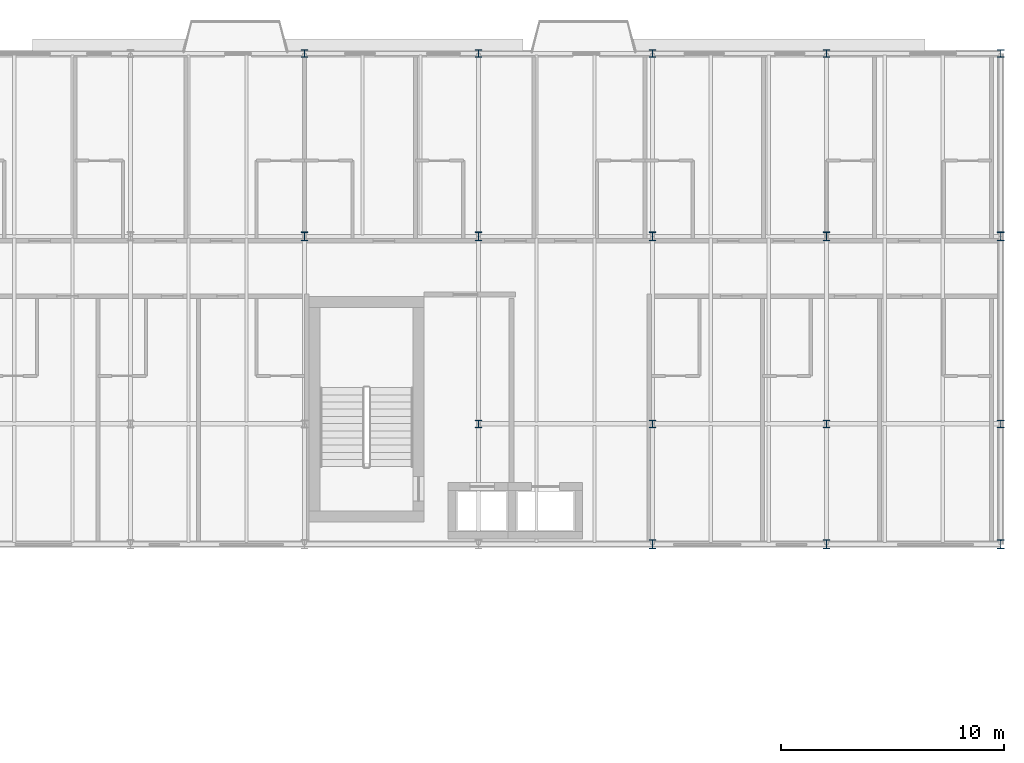
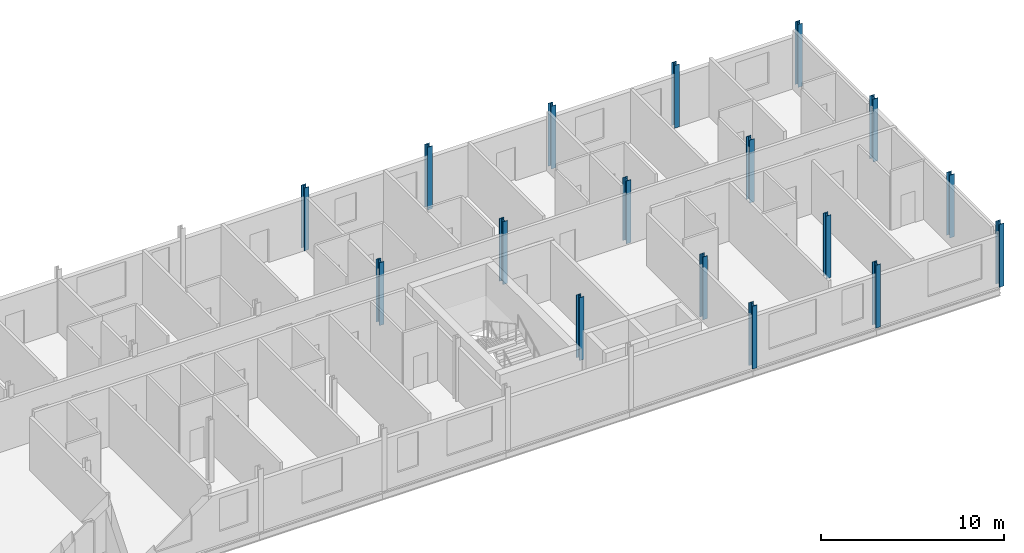
# One storey, part 3 of 22: 17 columns.
"""IFC4 building model written with IfcOpenShell, lengths in metres."""

from ifc_helpers import new_model, si_unit, direction, frame, origin, origin_2d, place, context, subcontext, project, spatial, i_section, extrude, material, material_profile, profile_set, type_object, element, save


model = new_model("IFC4")

# Units and contexts
model_context = context("Model", 3, precision=1e-05, world=origin(), true_north=direction((0.0, 1.0)))
body_context = subcontext(model_context, "Body", "Model", "MODEL_VIEW")
ifc_project = project(units=[si_unit("LENGTHUNIT", "METRE"), si_unit("AREAUNIT", "SQUARE_METRE"), si_unit("VOLUMEUNIT", "CUBIC_METRE"), si_unit("PLANEANGLEUNIT", "RADIAN"), si_unit("MASSUNIT", "GRAM", prefix="KILO")], contexts=[model_context])

# Site, building, storey
site_placement = place(None, origin())
site = spatial("IfcSite", under=ifc_project, at=site_placement, CompositionType="ELEMENT")
building_placement = place(site_placement, origin())
building = spatial("IfcBuilding", under=site, at=building_placement, Name="Sefraquen Railside Congress Hotel", CompositionType="ELEMENT")
storey_placement = place(building_placement, frame((0.0, 0.0, 42.60009765625)))
storey = spatial("IfcBuildingStorey", under=building, at=storey_placement, Name="L10", CompositionType="ELEMENT", Elevation=42.60009765625)

# Columns
ifc_material = material(Name="Steel S355JR", Category="steel")
ifc_material_profile_1 = material_profile(ifc_material, i_section(OverallWidth=0.300048828125, OverallDepth=0.340087890625, WebThickness=0.011962890625, FlangeThickness=0.021484375, FilletRadius=0.027099609375, at=origin_2d()), Name="HEB 340")
ifc_profile_set_1 = profile_set([ifc_material_profile_1], Name="Steel S355JR")
column_type_1 = type_object("IfcColumnType", Name="TC-HEB-340", PredefinedType="COLUMN", material=ifc_profile_set_1)
for number, where, z_axis, x_axis, name in (
    (1, (64.199951171875, 118.0, 0.0), (0.0, 0.0, 1.0), (1.0, 0.0, 0.0), "Structural column 9-Q L10"),
    (2, (72.0, 101.39990234375, 0.0), (0.0, 0.0, 1.0), (1.0, 0.0, 0.0), "Structural column 10-N L10"),
    (3, (72.0, 118.0, 0.0), (0.0, 0.0, 1.0), (1.0, 0.0, 0.0), "Structural column 10-Q L10"),
    (4, (79.800048828125, 101.39990234375, 0.0), (0.0, 0.0, 1.0), (1.0, 0.0, 0.0), "Structural column 11-N L10"),
    (5, (79.800048828125, 118.0, 0.0), (0.0, 0.0, 1.0), (1.0, 0.0, 0.0), "Structural column 11-Q L10"),
    (6, (87.60009765625, 101.39990234375, 0.0), (0.0, 0.0, 1.0), (1.0, 0.0, 0.0), "Structural column 12-N L10"),
    (7, (87.60009765625, 118.0, 0.0), (0.0, 0.0, 1.0), (1.0, 0.0, 0.0), "Structural column 12-Q L10"),
    (8, (95.39990234375, 101.39990234375, 0.0), (0.0, 0.0, 1.0), (1.0, 0.0, 0.0), "Structural column 13-N L10"),
    (9, (95.39990234375, 118.0, 0.0), (0.0, 0.0, 1.0), (1.0, 0.0, 0.0), "Structural column 13-Q L10"),
):
    element("IfcColumn", number, at=place(storey_placement, frame(where, z_axis=z_axis, x_axis=x_axis)), inside=storey, type_object=column_type_1, Name=name, PredefinedType="COLUMN", context=body_context, shape_type="SweptSolid", body=[
        extrude(i_section(OverallWidth=0.300048828125, OverallDepth=0.340087890625, WebThickness=0.011962890625, FlangeThickness=0.021484375, FilletRadius=0.027099609375, at=origin_2d()), origin(), (0.0, 0.0, 1.0), 4.199951171875),
    ])
ifc_material_profile_2 = material_profile(ifc_material, i_section(OverallWidth=0.300048828125, OverallDepth=0.39990234375, WebThickness=0.013427734375, FlangeThickness=0.02392578125, FilletRadius=0.027099609375, at=origin_2d()), Name="HEB 400")
ifc_profile_set_2 = profile_set([ifc_material_profile_2], Name="Steel S355JR")
column_type_2 = type_object("IfcColumnType", Name="TC-HEB-400", PredefinedType="COLUMN", material=ifc_profile_set_2)
for number, where, z_axis, x_axis, name in (
    (10, (64.199951171875, 109.800048828125, 0.0), (0.0, 0.0, 1.0), (1.0, 0.0, 0.0), "Structural column 9-P L10"),
    (11, (72.0, 109.800048828125, 0.0), (0.0, 0.0, 1.0), (1.0, 0.0, 0.0), "Structural column 10-P L10"),
    (12, (79.800048828125, 96.0, 0.0), (0.0, 0.0, 1.0), (1.0, 0.0, 0.0), "Structural column 11-M L10"),
    (13, (79.800048828125, 109.800048828125, 0.0), (0.0, 0.0, 1.0), (1.0, 0.0, 0.0), "Structural column 11-P L10"),
    (14, (87.60009765625, 96.0, 0.0), (0.0, 0.0, 1.0), (1.0, 0.0, 0.0), "Structural column 12-M L10"),
    (15, (87.60009765625, 109.800048828125, 0.0), (0.0, 0.0, 1.0), (1.0, 0.0, 0.0), "Structural column 12-P L10"),
    (16, (95.39990234375, 96.0, 0.0), (0.0, 0.0, 1.0), (1.0, 0.0, 0.0), "Structural column 13-M L10"),
    (17, (95.39990234375, 109.800048828125, 0.0), (0.0, 0.0, 1.0), (1.0, 0.0, 0.0), "Structural column 13-P L10"),
):
    element("IfcColumn", number, at=place(storey_placement, frame(where, z_axis=z_axis, x_axis=x_axis)), inside=storey, type_object=column_type_2, Name=name, PredefinedType="COLUMN", context=body_context, shape_type="SweptSolid", body=[
        extrude(i_section(OverallWidth=0.300048828125, OverallDepth=0.39990234375, WebThickness=0.013427734375, FlangeThickness=0.02392578125, FilletRadius=0.027099609375, at=origin_2d()), origin(), (0.0, 0.0, 1.0), 4.199951171875),
    ])

save(model, "model.ifc")
